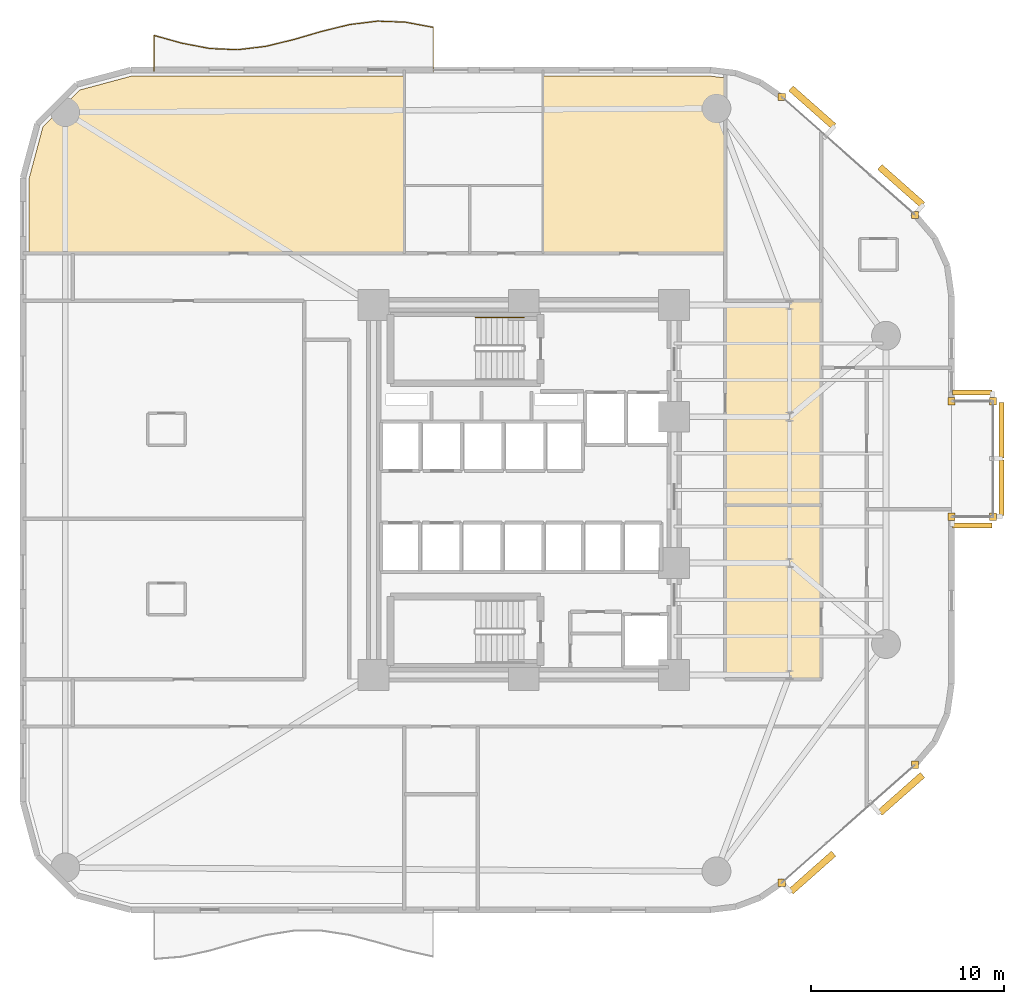
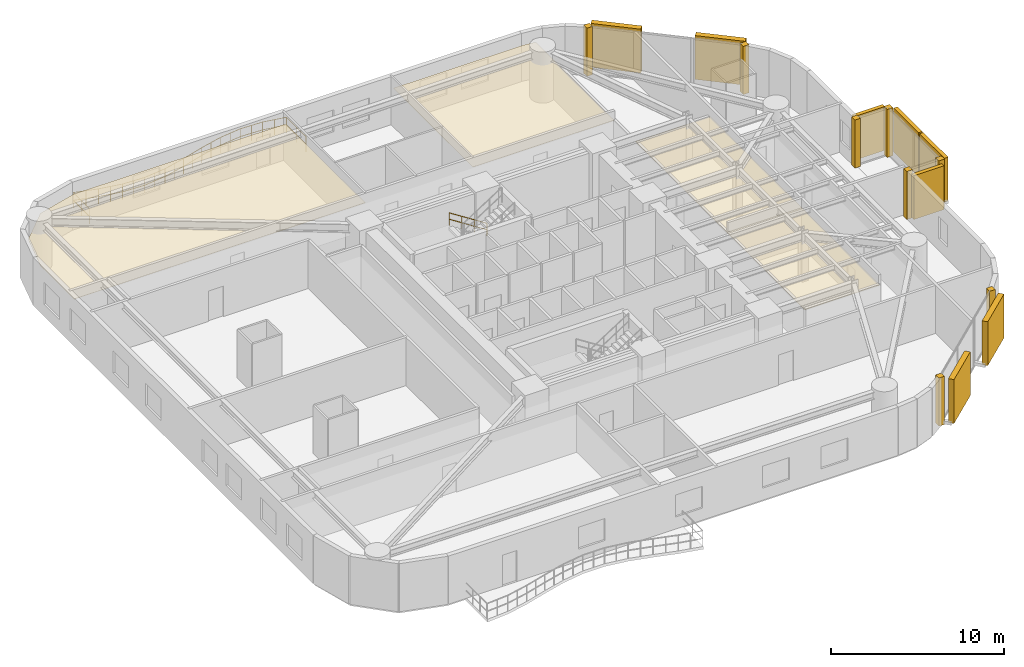
# One storey, part 16 of 16: 12 coverings, 8 shading devices, 2 railings.
"""IFC4 building model written with IfcOpenShell, lengths in metres."""

from ifc_helpers import new_model, si_unit, direction, frame, origin, origin_2d, place, context, subcontext, project, spatial, polyline, rectangle, circle, outline, extrude, material, layer, layer_set, type_object, element, save


model = new_model("IFC4")

# Units and contexts
model_context = context("Model", 3, precision=1e-05, world=origin(), true_north=direction((0.0, 1.0)))
body_context = subcontext(model_context, "Body", "Model", "MODEL_VIEW")
ifc_project = project(units=[si_unit("LENGTHUNIT", "METRE"), si_unit("AREAUNIT", "SQUARE_METRE"), si_unit("VOLUMEUNIT", "CUBIC_METRE"), si_unit("PLANEANGLEUNIT", "RADIAN"), si_unit("MASSUNIT", "GRAM", prefix="KILO")], contexts=[model_context])

# Site, building, storey
site_placement = place(None, origin())
site = spatial("IfcSite", under=ifc_project, at=site_placement, CompositionType="ELEMENT")
building_placement = place(site_placement, origin())
building = spatial("IfcBuilding", under=site, at=building_placement, Name="An Khanh Terracotta Commons", CompositionType="ELEMENT")
storey_placement = place(building_placement, frame((0.0, 0.0, 68.39990234375)))
storey = spatial("IfcBuildingStorey", under=building, at=storey_placement, Name="L18", CompositionType="ELEMENT", Elevation=68.39990234375)

# Coverings
ifc_material_1 = material(Name="Perforated Mineral-Fibre Acoustic Tile")
ifc_layer_1 = layer(ifc_material_1, 0.02001953125, Name="Perforated Mineral-Fibre Acoustic Tile")
ifc_layer_set_1 = layer_set([ifc_layer_1], Name="Perforated Mineral-Fibre Acoustic Tile")
covering_type_1 = type_object("IfcCoveringType", Name="CEIL-ACOUSTIC-18", PredefinedType="CEILING", material=ifc_layer_set_1)
covering_1_placement = place(storey_placement, frame((0.0, 0.0, 2.650146484375)))
element("IfcCovering", 1, at=covering_1_placement, inside=storey, type_object=covering_type_1, Name="L18 Collaborative Study Lounge Ceiling", PredefinedType="CEILING", context=body_context, shape_type="SweptSolid", body=[
    extrude(outline(polyline([(39.85009765625, 23.199951171875), (44.85009765625, 23.199951171875), (44.85009765625, 14.179931640625), (39.85009765625, 14.179931640625), (39.85009765625, 23.199951171875)])), origin(), (0.0, 0.0, 1.0), 0.02001953125),
])
covering_2_placement = place(storey_placement, frame((0.0, 0.0, 2.650146484375)))
element("IfcCovering", 2, at=covering_2_placement, inside=storey, type_object=covering_type_1, Name="L18 Academic Seminar Room Ceiling", PredefinedType="CEILING", context=body_context, shape_type="SweptSolid", body=[
    extrude(outline(polyline([(39.85009765625, 33.820068359375), (44.85009765625, 33.820068359375), (44.85009765625, 30.35009765625), (44.85009765625, 23.199951171875), (39.85009765625, 23.199951171875), (39.85009765625, 33.820068359375)])), origin(), (0.0, 0.0, 1.0), 0.02001953125),
])
covering_3_placement = place(storey_placement, frame((0.0, 0.0, 2.650146484375)))
element("IfcCovering", 3, at=covering_3_placement, inside=storey, type_object=covering_type_1, Name="L18 Academic Seminar Room Ceiling", PredefinedType="CEILING", context=body_context, shape_type="SweptSolid", body=[
    extrude(outline(polyline([(23.199951171875, 45.47998046875), (23.199951171875, 39.800048828125), (23.199951171875, 36.280029296875), (6.0, 36.280029296875), (3.719970703125, 36.280029296875), (3.719970703125, 40.157958984375), (4.43701171875, 42.833984375), (6.365966796875, 44.762939453125), (9.0419921875, 45.47998046875), (23.199951171875, 45.47998046875)])), origin(), (0.0, 0.0, 1.0), 0.02001953125),
])
covering_4_placement = place(storey_placement, frame((0.0, 0.0, 2.650146484375)))
element("IfcCovering", 4, at=covering_4_placement, inside=storey, type_object=covering_type_1, Name="L18 Academic Seminar Room Ceiling", PredefinedType="CEILING", context=body_context, shape_type="SweptSolid", body=[
    extrude(outline(polyline([(39.06005859375, 45.47998046875), (39.85009765625, 45.384033203125), (39.85009765625, 36.280029296875), (37.5, 36.280029296875), (30.39990234375, 36.280029296875), (30.39990234375, 39.800048828125), (30.39990234375, 45.47998046875), (39.06005859375, 45.47998046875)])), origin(), (0.0, 0.0, 1.0), 0.02001953125),
])
ifc_material_2 = material(Name="Fired Terracotta Rainscreen Cladding", Category="masonry")
ifc_layer_2 = layer(ifc_material_2, 0.080078125, Name="Fired Terracotta Rainscreen Cladding")
ifc_layer_set_2 = layer_set([ifc_layer_2], Name="Fired Terracotta Rainscreen Cladding")
covering_type_2 = type_object("IfcCoveringType", Name="COV-JAMB-TERRA", PredefinedType="CLADDING", material=ifc_layer_set_2)
for number, where, z_axis, x_axis, name in (
    (5, (42.7890625, 3.60595703125, 0.000244140625), (0.0, 0.0, 1.0), (1.0, 0.0, 0.0), "L18 CW-02 Curtain-Wall Jamb Closure JA"),
    (6, (49.7099609375, 9.72802734375, 0.000244140625), (0.0, 0.0, 1.0), (1.0, 0.0, 0.0), "L18 CW-02 Curtain-Wall Jamb Closure JB"),
    (7, (53.75, 22.60009765625, 0.000244140625), (0.0, 0.0, 1.0), (1.0, 0.0, 0.0), "L18 CW-04 Curtain-Wall Jamb Closure JA"),
    (8, (53.75, 28.60009765625, 0.000244140625), (0.0, 0.0, 1.0), (1.0, 0.0, 0.0), "L18 CW-04 Curtain-Wall Jamb Closure JB"),
    (9, (51.60009765625, 22.60009765625, 0.000244140625), (0.0, 0.0, 1.0), (1.0, 0.0, 0.0), "L18 CW-04 Curtain-Wall Jamb Closure JA"),
    (10, (51.60009765625, 28.60009765625, 0.000244140625), (0.0, 0.0, 1.0), (1.0, 0.0, 0.0), "L18 CW-04 Curtain-Wall Jamb Closure JB"),
    (11, (49.7099609375, 38.27197265625, 0.000244140625), (0.0, 0.0, 1.0), (1.0, 0.0, 0.0), "L18 CW-02 Curtain-Wall Jamb Closure JA"),
    (12, (42.7890625, 44.39404296875, 0.000244140625), (0.0, 0.0, 1.0), (1.0, 0.0, 0.0), "L18 CW-02 Curtain-Wall Jamb Closure JB"),
):
    element("IfcCovering", number, at=place(storey_placement, frame(where, z_axis=z_axis, x_axis=x_axis)), inside=storey, type_object=covering_type_2, Name=name, PredefinedType="CLADDING", context=body_context, shape_type="SweptSolid", body=[
        extrude(rectangle(XDim=0.3798828125, YDim=0.3798828125, at=origin_2d()), origin(), (0.0, 0.0, 1.0), 3.39990234375),
    ])

# Railings
ifc_material_3 = material(Name="Brushed Stainless Steel 316", Category="steel")
railing_type_1 = type_object("IfcRailingType", Name="RAIL-BALUSTRADE-1100", PredefinedType="BALUSTRADE", material=ifc_material_3)
railing_1_placement = place(storey_placement, frame((24.699951171875, 45.739990234375, 0.0)))
element("IfcRailing", 13, at=railing_1_placement, inside=storey, type_object=railing_type_1, Name="L18 N Wave Balcony Guard Balustrade", PredefinedType="BALUSTRADE", context=body_context, shape_type="SweptSolid", body=[
    extrude(circle(Radius=0.02392578125, at=origin_2d()), frame((0.0, 0.0, 1.076171875), z_axis=(0.0, 1.0, 0.0), x_axis=(-1.0, 0.0, 0.0)), (0.0, 0.0, 1.0), 2.26708984375),
    extrude(circle(Radius=0.02392578125, at=origin_2d()), frame((0.0, 0.0, 0.52587890625), z_axis=(0.0, 1.0, 0.0), x_axis=(-1.0, 0.0, 0.0)), (0.0, 0.0, 1.0), 2.26708984375),
    extrude(circle(Radius=0.02392578125, at=origin_2d()), frame((0.0, 2.26708984375, 1.076171875), z_axis=(-0.983098191406, 0.183079070499, 0.0), x_axis=(-0.183079070499, -0.983098191406, 0.0)), (0.0, 0.0, 1.0), 1.474853515625),
    extrude(circle(Radius=0.02392578125, at=origin_2d()), frame((0.0, 2.26708984375, 0.52587890625), z_axis=(-0.983098191406, 0.183079070499, 0.0), x_axis=(-0.183079070499, -0.983098191406, 0.0)), (0.0, 0.0, 1.0), 1.474853515625),
    extrude(circle(Radius=0.02392578125, at=origin_2d()), frame((-1.449951171875, 2.537109375, 1.076171875), z_axis=(-0.999308364687, 0.037185914901, 0.0), x_axis=(-0.037185914901, -0.999308364687, 0.0)), (0.0, 0.0, 1.0), 1.450927734375),
    extrude(circle(Radius=0.02392578125, at=origin_2d()), frame((-1.449951171875, 2.537109375, 0.52587890625), z_axis=(-0.999308364687, 0.037185914901, 0.0), x_axis=(-0.037185914901, -0.999308364687, 0.0)), (0.0, 0.0, 1.0), 1.450927734375),
    extrude(circle(Radius=0.02392578125, at=origin_2d()), frame((-2.89990234375, 2.591064453125, 1.076171875), z_axis=(-0.99236758901, -0.123314915085, 0.0), x_axis=(0.123314915085, -0.99236758901, 0.0)), (0.0, 0.0, 1.0), 1.461181640625),
    extrude(circle(Radius=0.02392578125, at=origin_2d()), frame((-2.89990234375, 2.591064453125, 0.52587890625), z_axis=(-0.99236758901, -0.123314915085, 0.0), x_axis=(0.123314915085, -0.99236758901, 0.0)), (0.0, 0.0, 1.0), 1.461181640625),
    extrude(circle(Radius=0.02392578125, at=origin_2d()), frame((-4.349853515625, 2.410888671875, 1.076171875), z_axis=(-0.97102071561, -0.238995334381, 0.0), x_axis=(0.238995334381, -0.97102071561, 0.0)), (0.0, 0.0, 1.0), 1.493408203125),
    extrude(circle(Radius=0.02392578125, at=origin_2d()), frame((-4.349853515625, 2.410888671875, 0.52587890625), z_axis=(-0.97102071561, -0.238995334381, 0.0), x_axis=(0.238995334381, -0.97102071561, 0.0)), (0.0, 0.0, 1.0), 1.493408203125),
    extrude(circle(Radius=0.02392578125, at=origin_2d()), frame((-5.800048828125, 2.053955078125, 1.076171875), z_axis=(-0.960182681001, -0.279372903312, 0.0), x_axis=(0.279372903312, -0.960182681001, 0.0)), (0.0, 0.0, 1.0), 1.510009765625),
    extrude(circle(Radius=0.02392578125, at=origin_2d()), frame((-5.800048828125, 2.053955078125, 0.52587890625), z_axis=(-0.960182681001, -0.279372903312, 0.0), x_axis=(0.279372903312, -0.960182681001, 0.0)), (0.0, 0.0, 1.0), 1.510009765625),
    extrude(circle(Radius=0.02392578125, at=origin_2d()), frame((-7.25, 1.632080078125, 1.076171875), z_axis=(-0.971766032005, -0.235946559716, 0.0), x_axis=(0.235946559716, -0.971766032005, 0.0)), (0.0, 0.0, 1.0), 1.4921875),
    extrude(circle(Radius=0.02392578125, at=origin_2d()), frame((-7.25, 1.632080078125, 0.52587890625), z_axis=(-0.971766032005, -0.235946559716, 0.0), x_axis=(0.235946559716, -0.971766032005, 0.0)), (0.0, 0.0, 1.0), 1.4921875),
    extrude(circle(Radius=0.02392578125, at=origin_2d()), frame((-8.699951171875, 1.280029296875, 1.076171875), z_axis=(-0.992949436845, -0.118538668248, 0.0), x_axis=(0.118538668248, -0.992949436845, 0.0)), (0.0, 0.0, 1.0), 1.460205078125),
    extrude(circle(Radius=0.02392578125, at=origin_2d()), frame((-8.699951171875, 1.280029296875, 0.52587890625), z_axis=(-0.992949436845, -0.118538668248, 0.0), x_axis=(0.118538668248, -0.992949436845, 0.0)), (0.0, 0.0, 1.0), 1.460205078125),
    extrude(circle(Radius=0.02392578125, at=origin_2d()), frame((-10.14990234375, 1.10693359375, 1.076171875), z_axis=(-0.999086695694, 0.042729082456, 0.0), x_axis=(-0.042729082456, -0.999086695694, 0.0)), (0.0, 0.0, 1.0), 1.451171875),
    extrude(circle(Radius=0.02392578125, at=origin_2d()), frame((-10.14990234375, 1.10693359375, 0.52587890625), z_axis=(-0.999086695694, 0.042729082456, 0.0), x_axis=(-0.042729082456, -0.999086695694, 0.0)), (0.0, 0.0, 1.0), 1.451171875),
    extrude(circle(Radius=0.02392578125, at=origin_2d()), frame((-11.599853515625, 1.1689453125, 1.076171875), z_axis=(-0.982229850638, 0.18768196641, 0.0), x_axis=(-0.18768196641, -0.982229850638, 0.0)), (0.0, 0.0, 1.0), 1.476318359375),
    extrude(circle(Radius=0.02392578125, at=origin_2d()), frame((-11.599853515625, 1.1689453125, 0.52587890625), z_axis=(-0.982229850638, 0.18768196641, 0.0), x_axis=(-0.18768196641, -0.982229850638, 0.0)), (0.0, 0.0, 1.0), 1.476318359375),
    extrude(circle(Radius=0.02392578125, at=origin_2d()), frame((-13.050048828125, 1.446044921875, 1.076171875), z_axis=(-0.963296824623, 0.268438498864, 0.0), x_axis=(-0.268438498864, -0.963296824623, 0.0)), (0.0, 0.0, 1.0), 1.505126953125),
    extrude(circle(Radius=0.02392578125, at=origin_2d()), frame((-13.050048828125, 1.446044921875, 0.52587890625), z_axis=(-0.963296824623, 0.268438498864, 0.0), x_axis=(-0.268438498864, -0.963296824623, 0.0)), (0.0, 0.0, 1.0), 1.505126953125),
    extrude(circle(Radius=0.02392578125, at=origin_2d()), frame((-14.5, 1.85009765625, 1.076171875), z_axis=(0.0, -1.0, 0.0), x_axis=(1.0, 0.0, 0.0)), (0.0, 0.0, 1.0), 1.85009765625),
    extrude(circle(Radius=0.02392578125, at=origin_2d()), frame((-14.5, 1.85009765625, 0.52587890625), z_axis=(0.0, -1.0, 0.0), x_axis=(1.0, 0.0, 0.0)), (0.0, 0.0, 1.0), 1.85009765625),
    extrude(circle(Radius=0.02099609375, at=origin_2d()), origin(), (0.0, 0.0, 1.0), 1.052001953125),
    extrude(circle(Radius=0.02099609375, at=origin_2d()), frame((0.0, 1.133544921875, 0.0)), (0.0, 0.0, 1.0), 1.052001953125),
    extrude(circle(Radius=0.02099609375, at=origin_2d()), frame((0.0, 2.26708984375, 0.0)), (0.0, 0.0, 1.0), 1.052001953125),
    extrude(circle(Radius=0.02099609375, at=origin_2d()), frame((-0.72509765625, 2.402099609375, 0.0)), (0.0, 0.0, 1.0), 1.052001953125),
    extrude(circle(Radius=0.02099609375, at=origin_2d()), frame((-1.449951171875, 2.537109375, 0.0)), (0.0, 0.0, 1.0), 1.052001953125),
    extrude(circle(Radius=0.02099609375, at=origin_2d()), frame((-2.1748046875, 2.56396484375, 0.0)), (0.0, 0.0, 1.0), 1.052001953125),
    extrude(circle(Radius=0.02099609375, at=origin_2d()), frame((-2.89990234375, 2.591064453125, 0.0)), (0.0, 0.0, 1.0), 1.052001953125),
    extrude(circle(Radius=0.02099609375, at=origin_2d()), frame((-3.625, 2.5009765625, 0.0)), (0.0, 0.0, 1.0), 1.052001953125),
    extrude(circle(Radius=0.02099609375, at=origin_2d()), frame((-4.349853515625, 2.410888671875, 0.0)), (0.0, 0.0, 1.0), 1.052001953125),
    extrude(circle(Radius=0.02099609375, at=origin_2d()), frame((-5.074951171875, 2.232421875, 0.0)), (0.0, 0.0, 1.0), 1.052001953125),
    extrude(circle(Radius=0.02099609375, at=origin_2d()), frame((-5.800048828125, 2.053955078125, 0.0)), (0.0, 0.0, 1.0), 1.052001953125),
    extrude(circle(Radius=0.02099609375, at=origin_2d()), frame((-6.52490234375, 1.843017578125, 0.0)), (0.0, 0.0, 1.0), 1.052001953125),
    extrude(circle(Radius=0.02099609375, at=origin_2d()), frame((-7.25, 1.632080078125, 0.0)), (0.0, 0.0, 1.0), 1.052001953125),
    extrude(circle(Radius=0.02099609375, at=origin_2d()), frame((-7.97509765625, 1.4560546875, 0.0)), (0.0, 0.0, 1.0), 1.052001953125),
    extrude(circle(Radius=0.02099609375, at=origin_2d()), frame((-8.699951171875, 1.280029296875, 0.0)), (0.0, 0.0, 1.0), 1.052001953125),
    extrude(circle(Radius=0.02099609375, at=origin_2d()), frame((-9.4248046875, 1.193359375, 0.0)), (0.0, 0.0, 1.0), 1.052001953125),
    extrude(circle(Radius=0.02099609375, at=origin_2d()), frame((-10.14990234375, 1.10693359375, 0.0)), (0.0, 0.0, 1.0), 1.052001953125),
    extrude(circle(Radius=0.02099609375, at=origin_2d()), frame((-10.875, 1.137939453125, 0.0)), (0.0, 0.0, 1.0), 1.052001953125),
    extrude(circle(Radius=0.02099609375, at=origin_2d()), frame((-11.599853515625, 1.1689453125, 0.0)), (0.0, 0.0, 1.0), 1.052001953125),
    extrude(circle(Radius=0.02099609375, at=origin_2d()), frame((-12.324951171875, 1.3076171875, 0.0)), (0.0, 0.0, 1.0), 1.052001953125),
    extrude(circle(Radius=0.02099609375, at=origin_2d()), frame((-13.050048828125, 1.446044921875, 0.0)), (0.0, 0.0, 1.0), 1.052001953125),
    extrude(circle(Radius=0.02099609375, at=origin_2d()), frame((-13.77490234375, 1.64794921875, 0.0)), (0.0, 0.0, 1.0), 1.052001953125),
    extrude(circle(Radius=0.02099609375, at=origin_2d()), frame((-14.5, 1.85009765625, 0.0)), (0.0, 0.0, 1.0), 1.052001953125),
    extrude(circle(Radius=0.02099609375, at=origin_2d()), frame((-14.5, 0.925048828125, 0.0)), (0.0, 0.0, 1.0), 1.052001953125),
    extrude(circle(Radius=0.02099609375, at=origin_2d()), frame((-14.5, 0.0, 0.0)), (0.0, 0.0, 1.0), 1.052001953125),
])
railing_type_2 = type_object("IfcRailingType", Name="RAIL-HANDRAIL-900", PredefinedType="HANDRAIL", material=ifc_material_3)
railing_2_placement = place(storey_placement, frame((29.409912109375, 32.949951171875, 0.18017578125)))
element("IfcRailing", 14, at=railing_2_placement, inside=storey, type_object=railing_type_2, Name="L18 ST-01 stair handrail 1", PredefinedType="HANDRAIL", context=body_context, shape_type="SweptSolid", body=[
    extrude(circle(Radius=0.02392578125, at=origin_2d()), frame((0.0, 0.0, 0.8759765625), z_axis=(-0.841199657755, 0.0, 0.540724639528), x_axis=(0.0, -1.0, 0.0)), (0.0, 0.0, 1.0), 2.995849609375),
    extrude(circle(Radius=0.02392578125, at=origin_2d()), frame((0.0, 0.0, 0.42578125), z_axis=(-0.841199657755, 0.0, 0.540724639528), x_axis=(0.0, -1.0, 0.0)), (0.0, 0.0, 1.0), 2.995849609375),
    extrude(circle(Radius=0.02099609375, at=origin_2d()), origin(), (0.0, 0.0, 1.0), 0.851806640625),
    extrude(circle(Radius=0.02099609375, at=origin_2d()), frame((-0.840087890625, 0.0, 0.5400390625)), (0.0, 0.0, 1.0), 0.851806640625),
    extrude(circle(Radius=0.02099609375, at=origin_2d()), frame((-1.679931640625, 0.0, 1.079833984375)), (0.0, 0.0, 1.0), 0.851806640625),
    extrude(circle(Radius=0.02099609375, at=origin_2d()), frame((-2.52001953125, 0.0, 1.619873046875)), (0.0, 0.0, 1.0), 0.851806640625),
])

# Shading devices
ifc_material_4 = material(Name="Warm Hardwood Timber-Finish Aluminium", Category="wood")
shading_device_type_1 = type_object("IfcShadingDeviceType", Name="Shifted Box Timber-Toned Louvre Screen", PredefinedType="USERDEFINED", material=ifc_material_4)
for number, where, z_axis, x_axis, name in (
    (15, (54.199951171875, 24.10009765625, 0.150146484375), (0.0, 0.0, 1.0), (0.0, 1.0, 0.0), "L18 Louvre Screen 1"),
    (16, (54.199951171875, 27.10009765625, 0.150146484375), (0.0, 0.0, 1.0), (0.0, 1.0, 0.0), "L18 Louvre Screen 2"),
):
    element("IfcShadingDevice", number, at=place(storey_placement, frame(where, z_axis=z_axis, x_axis=x_axis)), inside=storey, type_object=shading_device_type_1, Name=name, ObjectType="LOUVRE", PredefinedType="USERDEFINED", context=body_context, shape_type="SweptSolid", body=[
        extrude(rectangle(XDim=2.8798828125, YDim=0.25, at=origin_2d()), origin(), (0.0, 0.0, 1.0), 3.10009765625),
    ])
for number, where, z_axis, x_axis, name in (
    (17, (52.675048828125, 22.14990234375, 0.150146484375), (0.0, 0.0, 1.0), (1.0, 0.0, 0.0), "L18 Louvre Screen 1"),
    (18, (52.675048828125, 29.050048828125, 0.150146484375), (0.0, 0.0, 1.0), (-1.0, 0.0, 0.0), "L18 Louvre Screen 1"),
):
    element("IfcShadingDevice", number, at=place(storey_placement, frame(where, z_axis=z_axis, x_axis=x_axis)), inside=storey, type_object=shading_device_type_1, Name=name, ObjectType="LOUVRE", PredefinedType="USERDEFINED", context=body_context, shape_type="SweptSolid", body=[
        extrude(rectangle(XDim=2.030029296875, YDim=0.25, at=origin_2d()), origin(), (0.0, 0.0, 1.0), 3.10009765625),
    ])
ifc_material_5 = material(Name="Extruded Fired Terracotta", Category="masonry")
shading_device_type_2 = type_object("IfcShadingDeviceType", Name="Terracotta Baguette Screen Assembly", PredefinedType="USERDEFINED", material=ifc_material_5)
for number, where, z_axis, x_axis, name in (
    (19, (44.373046875, 4.138916015625, 0.150146484375), (0.0, 0.0, 1.0), (0.749019284633, 0.662548195415, 0.0), "L18 Terracotta Baguette Screen 1"),
    (20, (48.987060546875, 8.220947265625, 0.150146484375), (0.0, 0.0, 1.0), (0.749019284633, 0.662548195415, 0.0), "L18 Terracotta Baguette Screen 3"),
    (21, (48.987060546875, 39.779052734375, 0.150146484375), (0.0, 0.0, 1.0), (-0.749019284633, 0.662548195415, 0.0), "L18 Terracotta Baguette Screen 1"),
    (22, (44.373046875, 43.861083984375, 0.150146484375), (0.0, 0.0, 1.0), (-0.749019284633, 0.662548195415, 0.0), "L18 Terracotta Baguette Screen 3"),
):
    element("IfcShadingDevice", number, at=place(storey_placement, frame(where, z_axis=z_axis, x_axis=x_axis)), inside=storey, type_object=shading_device_type_2, Name=name, ObjectType="BAGUETTE", PredefinedType="USERDEFINED", context=body_context, shape_type="SweptSolid", body=[
        extrude(rectangle(XDim=2.9599609375, YDim=0.35009765625, at=origin_2d()), origin(), (0.0, 0.0, 1.0), 3.10009765625),
    ])

save(model, "model.ifc")
